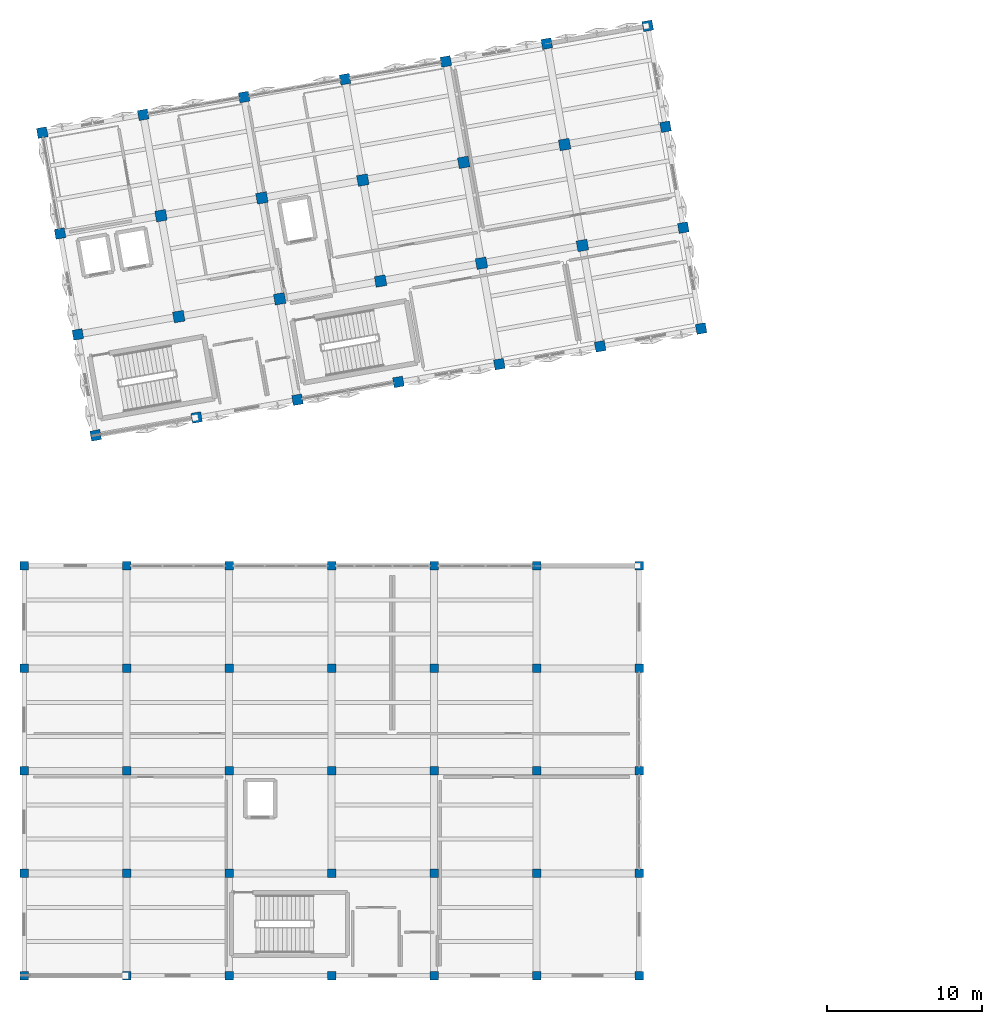
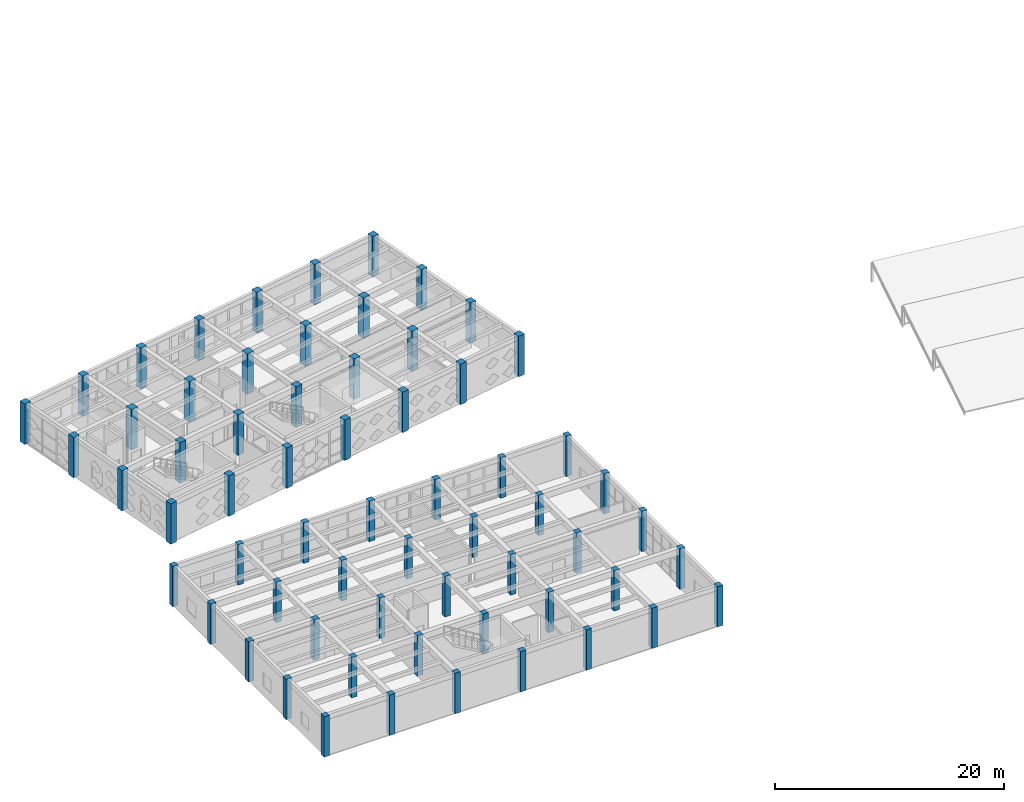
# One storey, part 1 of 48: 63 columns.
"""IFC4 building model written with IfcOpenShell, lengths in metres."""

from ifc_helpers import new_model, si_unit, direction, frame, origin, origin_2d, place, context, subcontext, project, spatial, rectangle, extrude, material, material_profile, profile_set, type_object, element, save


model = new_model("IFC4")

# Units and contexts
model_context = context("Model", 3, precision=1e-05, world=origin(), true_north=direction((0.0, 1.0)))
body_context = subcontext(model_context, "Body", "Model", "MODEL_VIEW")
ifc_project = project(units=[si_unit("LENGTHUNIT", "METRE"), si_unit("AREAUNIT", "SQUARE_METRE"), si_unit("VOLUMEUNIT", "CUBIC_METRE"), si_unit("PLANEANGLEUNIT", "RADIAN"), si_unit("MASSUNIT", "GRAM", prefix="KILO")], contexts=[model_context])

# Site, building, storey
site_placement = place(None, origin())
site = spatial("IfcSite", under=ifc_project, at=site_placement, CompositionType="ELEMENT")
building_placement = place(site_placement, origin())
building = spatial("IfcBuilding", under=site, at=building_placement, Name="Kharisveld Research Institute", CompositionType="ELEMENT")
storey_placement = place(building_placement, frame((0.0, 0.0, 14.10009765625)))
storey = spatial("IfcBuildingStorey", under=building, at=storey_placement, Name="L03", CompositionType="ELEMENT", Elevation=14.10009765625)

# Columns
ifc_material_1 = material(Name="Concrete C40/50", Category="concrete")
ifc_material_profile_1 = material_profile(ifc_material_1, rectangle(XDim=0.550048828125, YDim=0.550048828125, at=origin_2d()))
ifc_profile_set_1 = profile_set([ifc_material_profile_1], Name="Concrete C40/50")
column_type_1 = type_object("IfcColumnType", Name="COL_RC_550", PredefinedType="COLUMN", material=ifc_profile_set_1)
for number, where, z_axis, x_axis, name in (
    (1, (0.60009765625, 0.199951171875, 0.0), (0.0, 0.0, 1.0), (1.0, 0.0, 0.0), "COL:V3:L03:U0V0"),
    (2, (0.60009765625, 6.800048828125, 0.0), (0.0, 0.0, 1.0), (1.0, 0.0, 0.0), "COL:V3:L03:U0V1"),
    (3, (0.60009765625, 13.39990234375, 0.0), (0.0, 0.0, 1.0), (1.0, 0.0, 0.0), "COL:V3:L03:U0V2"),
    (4, (0.60009765625, 20.0, 0.0), (0.0, 0.0, 1.0), (1.0, 0.0, 0.0), "COL:V3:L03:U0V3"),
    (5, (0.60009765625, 26.60009765625, 0.0), (0.0, 0.0, 1.0), (1.0, 0.0, 0.0), "COL:V3:L03:U0V4"),
    (6, (7.199951171875, 0.199951171875, 0.0), (0.0, 0.0, 1.0), (1.0, 0.0, 0.0), "COL:V3:L03:U1V0"),
    (7, (7.199951171875, 6.800048828125, 0.0), (0.0, 0.0, 1.0), (1.0, 0.0, 0.0), "COL:V3:L03:U1V1"),
    (8, (7.199951171875, 13.39990234375, 0.0), (0.0, 0.0, 1.0), (1.0, 0.0, 0.0), "COL:V3:L03:U1V2"),
    (9, (7.199951171875, 20.0, 0.0), (0.0, 0.0, 1.0), (1.0, 0.0, 0.0), "COL:V3:L03:U1V3"),
    (10, (7.199951171875, 26.60009765625, 0.0), (0.0, 0.0, 1.0), (1.0, 0.0, 0.0), "COL:V3:L03:U1V4"),
    (11, (13.800048828125, 0.199951171875, 0.0), (0.0, 0.0, 1.0), (1.0, 0.0, 0.0), "COL:V3:L03:U2V0"),
    (12, (13.800048828125, 6.800048828125, 0.0), (0.0, 0.0, 1.0), (1.0, 0.0, 0.0), "COL:V3:L03:U2V1"),
    (13, (13.800048828125, 13.39990234375, 0.0), (0.0, 0.0, 1.0), (1.0, 0.0, 0.0), "COL:V3:L03:U2V2"),
    (14, (13.800048828125, 20.0, 0.0), (0.0, 0.0, 1.0), (1.0, 0.0, 0.0), "COL:V3:L03:U2V3"),
    (15, (13.800048828125, 26.60009765625, 0.0), (0.0, 0.0, 1.0), (1.0, 0.0, 0.0), "COL:V3:L03:U2V4"),
    (16, (20.39990234375, 0.199951171875, 0.0), (0.0, 0.0, 1.0), (1.0, 0.0, 0.0), "COL:V3:L03:U3V0"),
    (17, (20.39990234375, 6.800048828125, 0.0), (0.0, 0.0, 1.0), (1.0, 0.0, 0.0), "COL:V3:L03:U3V1"),
    (18, (20.39990234375, 13.39990234375, 0.0), (0.0, 0.0, 1.0), (1.0, 0.0, 0.0), "COL:V3:L03:U3V2"),
    (19, (20.39990234375, 20.0, 0.0), (0.0, 0.0, 1.0), (1.0, 0.0, 0.0), "COL:V3:L03:U3V3"),
    (20, (20.39990234375, 26.60009765625, 0.0), (0.0, 0.0, 1.0), (1.0, 0.0, 0.0), "COL:V3:L03:U3V4"),
    (21, (27.0, 0.199951171875, 0.0), (0.0, 0.0, 1.0), (1.0, 0.0, 0.0), "COL:V3:L03:U4V0"),
    (22, (27.0, 6.800048828125, 0.0), (0.0, 0.0, 1.0), (1.0, 0.0, 0.0), "COL:V3:L03:U4V1"),
    (23, (27.0, 13.39990234375, 0.0), (0.0, 0.0, 1.0), (1.0, 0.0, 0.0), "COL:V3:L03:U4V2"),
    (24, (27.0, 20.0, 0.0), (0.0, 0.0, 1.0), (1.0, 0.0, 0.0), "COL:V3:L03:U4V3"),
    (25, (27.0, 26.60009765625, 0.0), (0.0, 0.0, 1.0), (1.0, 0.0, 0.0), "COL:V3:L03:U4V4"),
    (26, (33.60009765625, 0.199951171875, 0.0), (0.0, 0.0, 1.0), (1.0, 0.0, 0.0), "COL:V3:L03:U5V0"),
    (27, (33.60009765625, 6.800048828125, 0.0), (0.0, 0.0, 1.0), (1.0, 0.0, 0.0), "COL:V3:L03:U5V1"),
    (28, (33.60009765625, 13.39990234375, 0.0), (0.0, 0.0, 1.0), (1.0, 0.0, 0.0), "COL:V3:L03:U5V2"),
    (29, (33.60009765625, 20.0, 0.0), (0.0, 0.0, 1.0), (1.0, 0.0, 0.0), "COL:V3:L03:U5V3"),
    (30, (33.60009765625, 26.60009765625, 0.0), (0.0, 0.0, 1.0), (1.0, 0.0, 0.0), "COL:V3:L03:U5V4"),
    (31, (40.199951171875, 0.199951171875, 0.0), (0.0, 0.0, 1.0), (1.0, 0.0, 0.0), "COL:V3:L03:U6V0"),
    (32, (40.199951171875, 6.800048828125, 0.0), (0.0, 0.0, 1.0), (1.0, 0.0, 0.0), "COL:V3:L03:U6V1"),
    (33, (40.199951171875, 13.39990234375, 0.0), (0.0, 0.0, 1.0), (1.0, 0.0, 0.0), "COL:V3:L03:U6V2"),
    (34, (40.199951171875, 20.0, 0.0), (0.0, 0.0, 1.0), (1.0, 0.0, 0.0), "COL:V3:L03:U6V3"),
    (35, (40.199951171875, 26.60009765625, 0.0), (0.0, 0.0, 1.0), (1.0, 0.0, 0.0), "COL:V3:L03:U6V4"),
):
    element("IfcColumn", number, at=place(storey_placement, frame(where, z_axis=z_axis, x_axis=x_axis)), inside=storey, type_object=column_type_1, Name=name, PredefinedType="COLUMN", context=body_context, shape_type="SweptSolid", body=[
        extrude(rectangle(XDim=0.550048828125, YDim=0.550048828125, at=origin_2d()), origin(), (0.0, 0.0, 1.0), 4.2998046875),
    ])
ifc_material_2 = material(Name="Concrete C40/50", Category="concrete")
ifc_material_profile_2 = material_profile(ifc_material_2, rectangle(XDim=0.64990234375, YDim=0.64990234375, at=origin_2d()))
ifc_profile_set_2 = profile_set([ifc_material_profile_2], Name="Concrete C40/50")
column_type_2 = type_object("IfcColumnType", Name="COL_RC_650", PredefinedType="COLUMN", material=ifc_profile_set_2)
for number, where, z_axis, x_axis, name in (
    (36, (5.199951171875, 35.010009765625, 0.0), (0.0, 0.0, 1.0), (0.984807753012, 0.173648177667, 0.0), "COL:V1:L03:U0V0"),
    (37, (4.053955078125, 41.509765625, 0.0), (0.0, 0.0, 1.0), (0.984807753012, 0.173648177667, 0.0), "COL:V1:L03:U0V1"),
    (38, (2.907958984375, 48.009521484375, 0.0), (0.0, 0.0, 1.0), (0.984807753012, 0.173648177667, 0.0), "COL:V1:L03:U0V2"),
    (39, (1.76171875, 54.50927734375, 0.0), (0.0, 0.0, 1.0), (0.984807753012, 0.173648177667, 0.0), "COL:V1:L03:U0V3"),
    (40, (11.69970703125, 36.156005859375, 0.0), (0.0, 0.0, 1.0), (0.984807753012, 0.173648177667, 0.0), "COL:V1:L03:U1V0"),
    (41, (8.261474609375, 55.6552734375, 0.0), (0.0, 0.0, 1.0), (0.984807753012, 0.173648177667, 0.0), "COL:V1:L03:U1V3"),
    (42, (18.199462890625, 37.30224609375, 0.0), (0.0, 0.0, 1.0), (0.984807753012, 0.173648177667, 0.0), "COL:V1:L03:U2V0"),
    (43, (14.76123046875, 56.80126953125, 0.0), (0.0, 0.0, 1.0), (0.984807753012, 0.173648177667, 0.0), "COL:V1:L03:U2V3"),
    (44, (24.69921875, 38.4482421875, 0.0), (0.0, 0.0, 1.0), (0.984807753012, 0.173648177667, 0.0), "COL:V1:L03:U3V0"),
    (45, (21.260986328125, 57.947509765625, 0.0), (0.0, 0.0, 1.0), (0.984807753012, 0.173648177667, 0.0), "COL:V1:L03:U3V3"),
    (46, (31.198974609375, 39.59423828125, 0.0), (0.0, 0.0, 1.0), (0.984807753012, 0.173648177667, 0.0), "COL:V1:L03:U4V0"),
    (47, (27.7607421875, 59.093505859375, 0.0), (0.0, 0.0, 1.0), (0.984807753012, 0.173648177667, 0.0), "COL:V1:L03:U4V3"),
    (48, (37.69873046875, 40.740478515625, 0.0), (0.0, 0.0, 1.0), (0.984807753012, 0.173648177667, 0.0), "COL:V1:L03:U5V0"),
    (49, (34.260498046875, 60.239501953125, 0.0), (0.0, 0.0, 1.0), (0.984807753012, 0.173648177667, 0.0), "COL:V1:L03:U5V3"),
    (50, (44.198486328125, 41.886474609375, 0.0), (0.0, 0.0, 1.0), (0.984807753012, 0.173648177667, 0.0), "COL:V1:L03:U6V0"),
    (51, (43.05224609375, 48.38623046875, 0.0), (0.0, 0.0, 1.0), (0.984807753012, 0.173648177667, 0.0), "COL:V1:L03:U6V1"),
    (52, (41.90625, 54.885986328125, 0.0), (0.0, 0.0, 1.0), (0.984807753012, 0.173648177667, 0.0), "COL:V1:L03:U6V2"),
    (53, (40.76025390625, 61.3857421875, 0.0), (0.0, 0.0, 1.0), (0.984807753012, 0.173648177667, 0.0), "COL:V1:L03:U6V3"),
):
    element("IfcColumn", number, at=place(storey_placement, frame(where, z_axis=z_axis, x_axis=x_axis)), inside=storey, type_object=column_type_2, Name=name, PredefinedType="COLUMN", context=body_context, shape_type="SweptSolid", body=[
        extrude(rectangle(XDim=0.64990234375, YDim=0.64990234375, at=origin_2d()), origin(), (0.0, 0.0, 1.0), 4.309814453125),
    ])
ifc_material_3 = material(Name="Concrete C40/50", Category="concrete")
ifc_material_profile_3 = material_profile(ifc_material_3, rectangle(XDim=0.699951171875, YDim=0.699951171875, at=origin_2d()))
ifc_profile_set_3 = profile_set([ifc_material_profile_3], Name="Concrete C40/50")
column_type_3 = type_object("IfcColumnType", Name="COL_RC_700", PredefinedType="COLUMN", material=ifc_profile_set_3)
for number, where, z_axis, x_axis, name in (
    (54, (10.5537109375, 42.65576171875, 0.0), (0.0, 0.0, 1.0), (0.984807753012, 0.173648177667, 0.0), "COL:V1:L03:U1V1"),
    (55, (9.407470703125, 49.155517578125, 0.0), (0.0, 0.0, 1.0), (0.984807753012, 0.173648177667, 0.0), "COL:V1:L03:U1V2"),
    (56, (17.053466796875, 43.802001953125, 0.0), (0.0, 0.0, 1.0), (0.984807753012, 0.173648177667, 0.0), "COL:V1:L03:U2V1"),
    (57, (15.9072265625, 50.301513671875, 0.0), (0.0, 0.0, 1.0), (0.984807753012, 0.173648177667, 0.0), "COL:V1:L03:U2V2"),
    (58, (23.55322265625, 44.947998046875, 0.0), (0.0, 0.0, 1.0), (0.984807753012, 0.173648177667, 0.0), "COL:V1:L03:U3V1"),
    (59, (22.406982421875, 51.44775390625, 0.0), (0.0, 0.0, 1.0), (0.984807753012, 0.173648177667, 0.0), "COL:V1:L03:U3V2"),
    (60, (30.052734375, 46.093994140625, 0.0), (0.0, 0.0, 1.0), (0.984807753012, 0.173648177667, 0.0), "COL:V1:L03:U4V1"),
    (61, (28.90673828125, 52.59375, 0.0), (0.0, 0.0, 1.0), (0.984807753012, 0.173648177667, 0.0), "COL:V1:L03:U4V2"),
    (62, (36.552490234375, 47.240234375, 0.0), (0.0, 0.0, 1.0), (0.984807753012, 0.173648177667, 0.0), "COL:V1:L03:U5V1"),
    (63, (35.406494140625, 53.73974609375, 0.0), (0.0, 0.0, 1.0), (0.984807753012, 0.173648177667, 0.0), "COL:V1:L03:U5V2"),
):
    element("IfcColumn", number, at=place(storey_placement, frame(where, z_axis=z_axis, x_axis=x_axis)), inside=storey, type_object=column_type_3, Name=name, PredefinedType="COLUMN", context=body_context, shape_type="SweptSolid", body=[
        extrude(rectangle(XDim=0.699951171875, YDim=0.699951171875, at=origin_2d()), origin(), (0.0, 0.0, 1.0), 4.309814453125),
    ])

save(model, "model.ifc")
